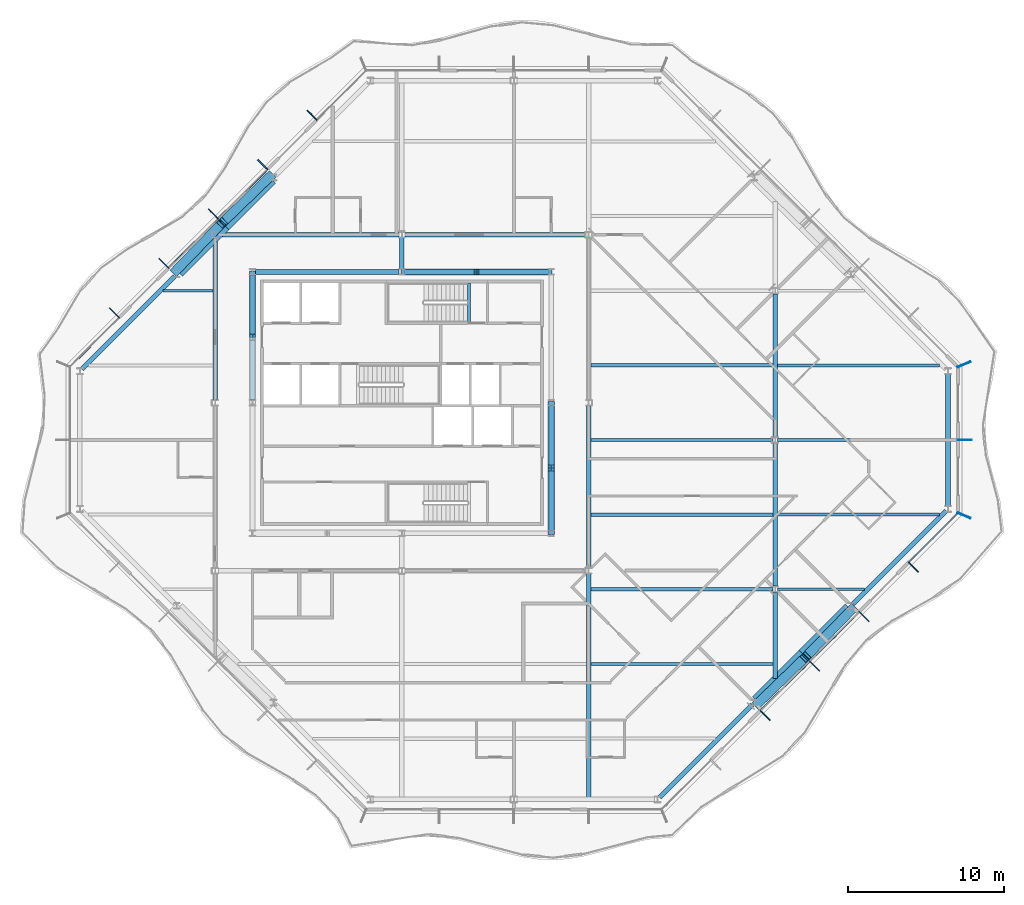
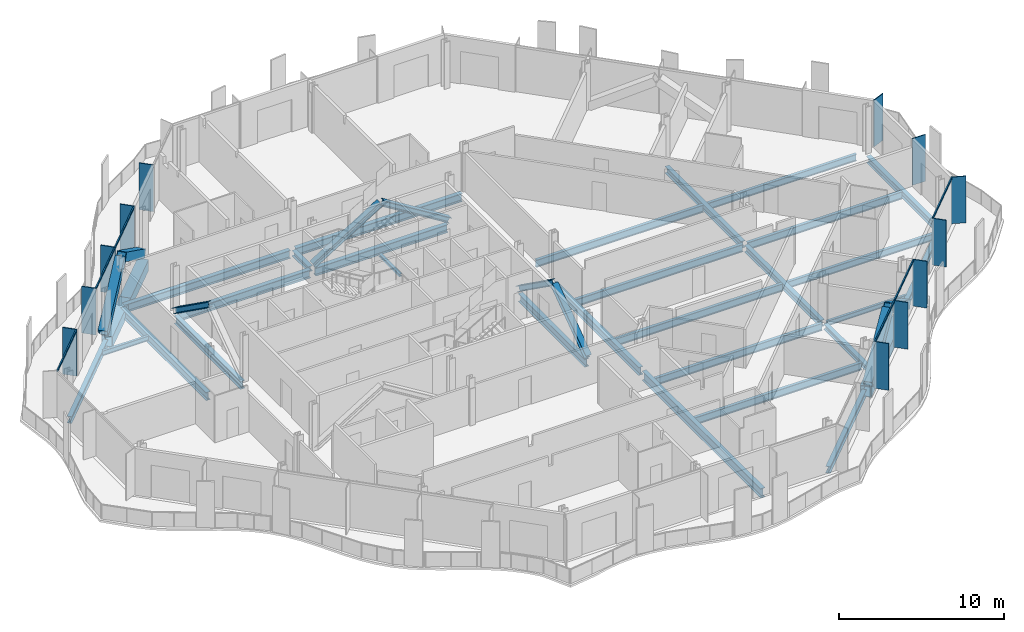
# One storey, part 4 of 17: 32 beams, 27 members, 4 elements without a shape of their own.
"""IFC4 building model written with IfcOpenShell, lengths in metres."""

import ifcopenshell
import ifcopenshell.guid

model = None  # the IFC model being written
_history = None  # IfcOwnerHistory: only IFC2X3 demands one
_inside = {}  # id of a spatial element -> (the spatial element, [elements in it])
_under = {}  # id of a project, library or spatial element -> (it, [spatial elements below it])
_declared = {}  # id of a project -> (the project, [libraries it declares])
_typed = {}  # id of a type object -> (the type object, [elements of that type])
_made_of = {}  # id of a material, layer set ... -> (it, [elements and type objects made of it])


def new_model(schema):
    """Start an empty IFC model of exactly this schema.

    Asked for "IFC4X3", IfcOpenShell would pick the latest addendum, in which some entities
    have other attributes; the version numbers below select the first issue.
    IFC2X3 requires an IfcOwnerHistory on every rooted entity: one is made here for all.
    """
    global model, _history
    if schema == "IFC4X3":
        model = ifcopenshell.file(schema_version=(4, 3, 0, 0))
    else:
        model = ifcopenshell.file(schema=schema)
    _inside.clear()
    _under.clear()
    _declared.clear()
    _typed.clear()
    _made_of.clear()
    _history = None
    if model.schema == "IFC2X3":
        org = make("IfcOrganization", Name="unknown")
        user = make(
            "IfcPersonAndOrganization",
            ThePerson=make("IfcPerson", FamilyName="unknown"),
            TheOrganization=org,
        )
        app = make(
            "IfcApplication",
            ApplicationDeveloper=org,
            Version="unknown",
            ApplicationFullName="unknown",
            ApplicationIdentifier="unknown",
        )
        _history = make(
            "IfcOwnerHistory",
            OwningUser=user,
            OwningApplication=app,
            ChangeAction="ADDED",
            CreationDate=0,
        )
    return model


def make(cls, **values):
    """One entity of the class cls with the attributes given. An attribute that is None is left unset."""
    return model.create_entity(
        cls, **{name: value for name, value in values.items() if value is not None}
    )


def rooted(cls, **values):
    """An entity with a GlobalId (a new one), such as an element, a storey or a relation."""
    return make(cls, GlobalId=ifcopenshell.guid.new(), OwnerHistory=_history, **values)


def si_unit(unit_type, name, prefix=None):
    """IfcSIUnit, for example si_unit("LENGTHUNIT", "METRE", prefix="MILLI")."""
    return make("IfcSIUnit", UnitType=unit_type, Prefix=prefix, Name=name)


def assignment(units):
    """IfcUnitAssignment: the units of a project."""
    return None if units is None else make("IfcUnitAssignment", Units=units)


def point(xyz):
    """IfcCartesianPoint."""
    return None if xyz is None else make("IfcCartesianPoint", Coordinates=xyz)


def direction(xyz):
    """IfcDirection."""
    return None if xyz is None else make("IfcDirection", DirectionRatios=xyz)


def frame(location, z_axis=None, x_axis=None):
    """IfcAxis2Placement3D, a coordinate frame: its origin and axes. An axis left out is left unset."""
    return make(
        "IfcAxis2Placement3D",
        Location=point(location),
        Axis=direction(z_axis),
        RefDirection=direction(x_axis),
    )


def frame_2d(location, x_axis=None):
    """IfcAxis2Placement2D, a coordinate frame in the plane: its origin and x axis."""
    return make(
        "IfcAxis2Placement2D", Location=point(location), RefDirection=direction(x_axis)
    )


def origin():
    """The frame at (0, 0, 0) with its axes left unset."""
    return frame((0.0, 0.0, 0.0))


def origin_2d():
    """The frame at (0, 0) in the plane with its x axis left unset."""
    return frame_2d((0.0, 0.0))


def place(relative_to, where):
    """IfcLocalPlacement: puts the frame where relative to a parent placement (None: the world)."""
    return make(
        "IfcLocalPlacement", PlacementRelTo=relative_to, RelativePlacement=where
    )


def context(
    kind, dimensions, precision=None, world=None, true_north=None, identifier=None
):
    """IfcGeometricRepresentationContext, for example the 3D "Model" context."""
    return make(
        "IfcGeometricRepresentationContext",
        ContextIdentifier=identifier,
        ContextType=kind,
        CoordinateSpaceDimension=dimensions,
        Precision=precision,
        WorldCoordinateSystem=world,
        TrueNorth=true_north,
    )


def subcontext(parent, identifier, kind, view, scale=None):
    """IfcGeometricRepresentationSubContext, for example "Body" below "Model"."""
    return make(
        "IfcGeometricRepresentationSubContext",
        ContextIdentifier=identifier,
        ContextType=kind,
        ParentContext=parent,
        TargetScale=scale,
        TargetView=view,
    )


def project(units=None, contexts=None):
    """IfcProject with its units and contexts."""
    return rooted(
        "IfcProject",
        Name="project",
        RepresentationContexts=contexts,
        UnitsInContext=assignment(units),
    )


def spatial(cls, under=None, at=None, **own):
    """A site, building, storey or space (cls), placed at a placement, below another one or the project."""
    s = rooted(cls, ObjectPlacement=at, **own)
    if under is not None:
        _under.setdefault(under.id(), (under, []))[1].append(s)
    return s


def profile(cls, at=None, kind="AREA", **sizes):
    """A parametric profile (cls). Its sizes go by their IFC names, for example OverallWidth=200.0."""
    return make(cls, ProfileType=kind, Position=at, **sizes)


def rectangle(**sizes):
    """IfcRectangleProfileDef."""
    return profile("IfcRectangleProfileDef", **sizes)


def hollow_rectangle(**sizes):
    """IfcRectangleHollowProfileDef."""
    return profile("IfcRectangleHollowProfileDef", **sizes)


def i_section(**sizes):
    """IfcIShapeProfileDef."""
    return profile("IfcIShapeProfileDef", **sizes)


def extrude(swept, where, along, depth):
    """IfcExtrudedAreaSolid: the profile swept, set in the frame where, extruded along a direction by depth."""
    return make(
        "IfcExtrudedAreaSolid",
        SweptArea=swept,
        Position=where,
        ExtrudedDirection=direction(along),
        Depth=depth,
    )


def shape(context_of_items, identifier, shape_type, items):
    """IfcShapeRepresentation: the items that make up one representation, for example the "Body"."""
    return make(
        "IfcShapeRepresentation",
        ContextOfItems=context_of_items,
        RepresentationIdentifier=identifier,
        RepresentationType=shape_type,
        Items=items,
    )


def material(Name=None, Category=None):
    """IfcMaterial."""
    return make("IfcMaterial", Name=Name, Category=Category)


def material_profile(
    of_material, cross_section, Name=None, Category=None, Priority=None
):
    """IfcMaterialProfile: a cross section and its material."""
    return make(
        "IfcMaterialProfile",
        Name=Name,
        Material=of_material,
        Profile=cross_section,
        Priority=Priority,
        Category=Category,
    )


def profile_set(profiles, Name=None, composite=None):
    """IfcMaterialProfileSet."""
    return make(
        "IfcMaterialProfileSet",
        Name=Name,
        MaterialProfiles=profiles,
        CompositeProfile=composite,
    )


def made_of(thing, what):
    """Note that an element or type object is made of a material, layer set ...; save() writes the relation."""
    if what is not None:
        _made_of.setdefault(what.id(), (what, []))[1].append(thing)
    return thing


def type_object(cls, material=None, **own):
    """A type object (cls), such as IfcWallType, which elements share."""
    return made_of(rooted(cls, **own), material)


def element(
    cls,
    number,
    at=None,
    inside=None,
    cuts=None,
    type_object=None,
    material=None,
    context=None,
    identifier="Body",
    shape_type=None,
    held_by="IfcProductDefinitionShape",
    body=None,
    shapes=None,
    **own,
):
    """One element of the class cls, such as IfcWall. Its Tag is "e" and its number.

    at: its placement. inside: the storey or other place that contains it. cuts: it is an
    opening in that element (IfcRelVoidsElement). A single representation is given by context,
    identifier, shape_type and body (its items); several are given by shapes. held_by: the class
    of the entity that holds the representations. save() writes the other relations.
    """
    e = rooted(cls, Tag="e%d" % number, ObjectPlacement=at, **own)
    if body is not None:
        shapes = [shape(context, identifier, shape_type, body)]
    if shapes is not None:
        e.Representation = make(held_by, Representations=shapes)
    if inside is not None:
        _inside.setdefault(inside.id(), (inside, []))[1].append(e)
    if cuts is not None:
        rooted(
            "IfcRelVoidsElement", RelatingBuildingElement=cuts, RelatedOpeningElement=e
        )
    if type_object is not None:
        _typed.setdefault(type_object.id(), (type_object, []))[1].append(e)
    return made_of(e, material)


def aggregate(whole, parts):
    """IfcRelAggregates: a whole, such as a stair, and the parts it consists of."""
    return rooted("IfcRelAggregates", RelatingObject=whole, RelatedObjects=parts)


def save(model, path):
    """Write the relations noted so far, then the file.

    IfcRelAggregates (storeys below a building ...), IfcRelContainedInSpatialStructure (elements
    in a storey), IfcRelDefinesByType, IfcRelAssociatesMaterial and IfcRelDeclares: one each for
    every whole, place, type object, material and project.
    """
    for whole, parts in _under.values():
        aggregate(whole, parts)
    for where, things in _inside.values():
        rooted(
            "IfcRelContainedInSpatialStructure",
            RelatedElements=things,
            RelatingStructure=where,
        )
    for kind, things in _typed.values():
        rooted("IfcRelDefinesByType", RelatedObjects=things, RelatingType=kind)
    for what, things in _made_of.values():
        rooted("IfcRelAssociatesMaterial", RelatedObjects=things, RelatingMaterial=what)
    for by, libraries in _declared.values():
        rooted("IfcRelDeclares", RelatingContext=by, RelatedDefinitions=libraries)
    model.write(path)


model = new_model("IFC4")

# Units and contexts
model_context = context("Model", 3, precision=1e-05, world=origin(), true_north=direction((0.0, 1.0)))
body_context = subcontext(model_context, "Body", "Model", "MODEL_VIEW")
ifc_project = project(units=[si_unit("LENGTHUNIT", "METRE"), si_unit("AREAUNIT", "SQUARE_METRE"), si_unit("VOLUMEUNIT", "CUBIC_METRE"), si_unit("PLANEANGLEUNIT", "RADIAN"), si_unit("MASSUNIT", "GRAM", prefix="KILO")], contexts=[model_context])

# Site, building, storey
site_placement = place(None, origin())
site = spatial("IfcSite", under=ifc_project, at=site_placement, CompositionType="ELEMENT")
building_placement = place(site_placement, origin())
building = spatial("IfcBuilding", under=site, at=building_placement, Name="Cairn Pilgrim Tower", CompositionType="ELEMENT")
storey_placement = place(building_placement, frame((0.0, 0.0, 235.800048828125)))
storey = spatial("IfcBuildingStorey", under=building, at=storey_placement, Name="L60", CompositionType="ELEMENT", Elevation=235.800048828125)

# Members
ifc_material_1 = material(Name="Structural steel S460M", Category="steel")
ifc_material_profile_1 = material_profile(ifc_material_1, hollow_rectangle(XDim=0.60009765625, YDim=0.60009765625, WallThickness=0.034912109375, at=origin_2d()), Name="BOX 600x600x35")
ifc_profile_set_1 = profile_set([ifc_material_profile_1], Name="Structural steel S460M")
member_type_1 = type_object("IfcMemberType", Name="BOX 600x600x35 BRACE", PredefinedType="BRACE", material=ifc_profile_set_1)
for number, where, z_axis, x_axis, name in (
    (1, (30.01318359375, -16.99462890625, 0.14990234375), (0.611806144004, 0.593141693494, 0.523331800675), (-0.696070308653, 0.717973624454, 0.0), "XB-SE2-SE3-1"),
    (2, (36.194580078125, -10.813232421875, 0.14990234375), (-0.593141693494, -0.611806144004, 0.523331800675), (0.717973624454, -0.696070308653, 0.0), "XB-SE2-SE3-2"),
    (3, (-1.213134765625, 16.99462890625, 0.14990234375), (-0.611806144004, -0.593141693494, 0.523331800675), (0.696070308653, -0.717973624454, 0.0), "XB-NW2-NW3-1"),
    (4, (-7.394775390625, 10.813232421875, 0.14990234375), (0.593141693494, 0.611806144004, 0.523331800675), (-0.717973624454, 0.696070308653, 0.0), "XB-NW2-NW3-2"),
):
    element("IfcMember", number, at=place(storey_placement, frame(where, z_axis=z_axis, x_axis=x_axis)), inside=storey, type_object=member_type_1, Name=name, PredefinedType="BRACE", context=body_context, shape_type="SweptSolid", body=[
        extrude(hollow_rectangle(XDim=0.60009765625, YDim=0.60009765625, WallThickness=0.034912109375, at=origin_2d()), origin(), (0.0, 0.0, 1.0), 5.035888671875),
    ])

# Beams
ifc_material_2 = material(Name="Structural steel S355J2", Category="steel")
ifc_material_profile_2 = material_profile(ifc_material_2, hollow_rectangle(XDim=0.699951171875, YDim=0.800048828125, WallThickness=0.0400390625, at=origin_2d()), Name="BOX 700x800x40")
ifc_profile_set_2 = profile_set([ifc_material_profile_2], Name="Structural steel S355J2")
beam_type_1 = type_object("IfcBeamType", Name="BOX 700x800x40 RING GIRDER", PredefinedType="SPANDREL", material=ifc_profile_set_2)
for number, where, z_axis, x_axis, name in (
    (5, (29.97998046875, -16.747314453125, -0.550048828125), (0.707106781187, 0.707106781187, 0.0), (-0.707106781187, 0.707106781187, 0.0), "RG3-SE2-SE3-1"),
    (6, (32.963623046875, -13.763671875, -0.550048828125), (0.707106781187, 0.707106781187, 0.0), (-0.707106781187, 0.707106781187, 0.0), "RG3-SE2-SE3-2"),
    (7, (-1.179931640625, 16.747314453125, -0.550048828125), (-0.707106781187, -0.707106781187, 0.0), (0.707106781187, -0.707106781187, 0.0), "RG3-NW2-NW3-1"),
    (8, (-4.16357421875, 13.763671875, -0.550048828125), (-0.707106781187, -0.707106781187, 0.0), (0.707106781187, -0.707106781187, 0.0), "RG3-NW2-NW3-2"),
):
    element("IfcBeam", number, at=place(storey_placement, frame(where, z_axis=z_axis, x_axis=x_axis)), inside=storey, type_object=beam_type_1, Name=name, PredefinedType="SPANDREL", context=body_context, shape_type="SweptSolid", body=[
        extrude(hollow_rectangle(XDim=0.699951171875, YDim=0.800048828125, WallThickness=0.0400390625, at=origin_2d()), origin(), (0.0, 0.0, 1.0), 4.219482421875),
    ])

# Curtain wall, members
ifc_material_3 = material(Name="Aluminium alloy 6063-T6 bronze anodised with Bronze tinted laminated low-E glass 8+16+8.8", Category="aluminium")
curtain_wall_type_1 = type_object("IfcCurtainWallType", Name="CHAMFER CORNER CURTAIN WALL", PredefinedType="NOTDEFINED", material=ifc_material_3)
curtain_wall_1_placement = place(storey_placement, origin())
curtain_wall_1 = element("IfcCurtainWall", 9, at=curtain_wall_1_placement, inside=storey, type_object=curtain_wall_type_1, Name="Chamfer Corner Curtain Wall SE", PredefinedType="NOTDEFINED")
ifc_material_4 = material(Name="Aluminium alloy 6063-T6 bronze anodised", Category="aluminium")
ifc_material_profile_3 = material_profile(ifc_material_4, rectangle(XDim=0.89990234375, YDim=0.06005859375, at=origin_2d()), Name="FIN MULLION 60x900 BRONZE")
ifc_profile_set_3 = profile_set([ifc_material_profile_3], Name="Aluminium alloy 6063-T6 bronze anodised")
member_type_2 = type_object("IfcMemberType", Name="FIN MULLION 60x900 BRONZE", PredefinedType="MULLION", material=ifc_profile_set_3)
member_1_placement = place(storey_placement, frame((30.544677734375, -17.69580078125, 0.0), z_axis=(0.0, 0.0, 1.0), x_axis=(0.707106781187, -0.707106781187, 0.0)))
member_1 = element("IfcMember", 10, at=member_1_placement, type_object=member_type_2, Name="Fin mullion SE3", PredefinedType="MULLION", context=body_context, shape_type="SweptSolid", body=[
    extrude(rectangle(XDim=0.89990234375, YDim=0.06005859375, at=origin_2d()), origin(), (0.0, 0.0, 1.0), 3.449951171875),
])
member_2_placement = place(storey_placement, frame((33.72021484375, -14.520263671875, 0.0), z_axis=(0.0, 0.0, 1.0), x_axis=(0.707106781187, -0.707106781187, 0.0)))
member_2 = element("IfcMember", 11, at=member_2_placement, type_object=member_type_2, Name="Fin mullion SE4", PredefinedType="MULLION", context=body_context, shape_type="SweptSolid", body=[
    extrude(rectangle(XDim=0.89990234375, YDim=0.06005859375, at=origin_2d()), origin(), (0.0, 0.0, 1.0), 3.449951171875),
])
member_3_placement = place(storey_placement, frame((36.895751953125, -11.3447265625, 0.0), z_axis=(0.0, 0.0, 1.0), x_axis=(0.707106781187, -0.707106781187, 0.0)))
member_3 = element("IfcMember", 12, at=member_3_placement, type_object=member_type_2, Name="Fin mullion SE5", PredefinedType="MULLION", context=body_context, shape_type="SweptSolid", body=[
    extrude(rectangle(XDim=0.89990234375, YDim=0.06005859375, at=origin_2d()), origin(), (0.0, 0.0, 1.0), 3.449951171875),
])
member_4_placement = place(storey_placement, frame((40.0712890625, -8.1689453125, 0.0), z_axis=(0.0, 0.0, 1.0), x_axis=(0.707106781187, -0.707106781187, 0.0)))
member_4 = element("IfcMember", 13, at=member_4_placement, type_object=member_type_2, Name="Fin mullion SE6", PredefinedType="MULLION", context=body_context, shape_type="SweptSolid", body=[
    extrude(rectangle(XDim=0.89990234375, YDim=0.06005859375, at=origin_2d()), origin(), (0.0, 0.0, 1.0), 3.449951171875),
])

curtain_wall_type_2 = type_object("IfcCurtainWallType", Name="TOWER STICK CURTAIN WALL EW", PredefinedType="NOTDEFINED", material=ifc_material_3)
curtain_wall_2_placement = place(storey_placement, origin())
curtain_wall_2 = element("IfcCurtainWall", 14, at=curtain_wall_2_placement, inside=storey, type_object=curtain_wall_type_2, Name="Tower Stick Curtain Wall Ew E", PredefinedType="NOTDEFINED")
member_5_placement = place(storey_placement, frame((43.338134765625, -4.857177734375, 0.0), z_axis=(0.0, 0.0, 1.0), x_axis=(0.923879532511, -0.382683432365, 0.0)))
member_5 = element("IfcMember", 15, at=member_5_placement, type_object=member_type_2, Name="Fin mullion E1", PredefinedType="MULLION", context=body_context, shape_type="SweptSolid", body=[
    extrude(rectangle(XDim=0.89990234375, YDim=0.06005859375, at=origin_2d()), origin(), (0.0, 0.0, 1.0), 3.449951171875),
])
member_6_placement = place(storey_placement, frame((43.3701171875, 0.0, 0.0), z_axis=(0.0, 0.0, 1.0), x_axis=(1.0, 0.0, 0.0)))
member_6 = element("IfcMember", 16, at=member_6_placement, type_object=member_type_2, Name="Fin mullion E2", PredefinedType="MULLION", context=body_context, shape_type="SweptSolid", body=[
    extrude(rectangle(XDim=0.89990234375, YDim=0.06005859375, at=origin_2d()), origin(), (0.0, 0.0, 1.0), 3.449951171875),
])
aggregate(curtain_wall_2, [member_5, member_6])

# Curtain wall, member
curtain_wall_3_placement = place(storey_placement, origin())
curtain_wall_3 = element("IfcCurtainWall", 17, at=curtain_wall_3_placement, inside=storey, type_object=curtain_wall_type_1, Name="Chamfer Corner Curtain Wall NE", PredefinedType="NOTDEFINED")
member_7_placement = place(storey_placement, frame((43.338134765625, 4.857177734375, 0.0), z_axis=(0.0, 0.0, 1.0), x_axis=(0.923879532511, 0.382683432365, 0.0)))
member_7 = element("IfcMember", 18, at=member_7_placement, type_object=member_type_2, Name="Fin mullion NE1", PredefinedType="MULLION", context=body_context, shape_type="SweptSolid", body=[
    extrude(rectangle(XDim=0.89990234375, YDim=0.06005859375, at=origin_2d()), origin(), (0.0, 0.0, 1.0), 3.449951171875),
])
aggregate(curtain_wall_3, [member_7])

# Curtain wall, members
curtain_wall_4_placement = place(storey_placement, origin())
curtain_wall_4 = element("IfcCurtainWall", 19, at=curtain_wall_4_placement, inside=storey, type_object=curtain_wall_type_1, Name="Chamfer Corner Curtain Wall NW", PredefinedType="NOTDEFINED")
member_8_placement = place(storey_placement, frame((1.430908203125, 20.871337890625, 0.0), z_axis=(0.0, 0.0, 1.0), x_axis=(-0.707106781187, 0.707106781187, 0.0)))
member_8 = element("IfcMember", 20, at=member_8_placement, type_object=member_type_2, Name="Fin mullion NW2", PredefinedType="MULLION", context=body_context, shape_type="SweptSolid", body=[
    extrude(rectangle(XDim=0.89990234375, YDim=0.06005859375, at=origin_2d()), origin(), (0.0, 0.0, 1.0), 3.449951171875),
])
member_9_placement = place(storey_placement, frame((-1.74462890625, 17.69580078125, 0.0), z_axis=(0.0, 0.0, 1.0), x_axis=(-0.707106781187, 0.707106781187, 0.0)))
member_9 = element("IfcMember", 21, at=member_9_placement, type_object=member_type_2, Name="Fin mullion NW3", PredefinedType="MULLION", context=body_context, shape_type="SweptSolid", body=[
    extrude(rectangle(XDim=0.89990234375, YDim=0.06005859375, at=origin_2d()), origin(), (0.0, 0.0, 1.0), 3.449951171875),
])
member_10_placement = place(storey_placement, frame((-4.920166015625, 14.520263671875, 0.0), z_axis=(0.0, 0.0, 1.0), x_axis=(-0.707106781187, 0.707106781187, 0.0)))
member_10 = element("IfcMember", 22, at=member_10_placement, type_object=member_type_2, Name="Fin mullion NW4", PredefinedType="MULLION", context=body_context, shape_type="SweptSolid", body=[
    extrude(rectangle(XDim=0.89990234375, YDim=0.06005859375, at=origin_2d()), origin(), (0.0, 0.0, 1.0), 3.449951171875),
])
member_11_placement = place(storey_placement, frame((-8.095703125, 11.3447265625, 0.0), z_axis=(0.0, 0.0, 1.0), x_axis=(-0.707106781187, 0.707106781187, 0.0)))
member_11 = element("IfcMember", 23, at=member_11_placement, type_object=member_type_2, Name="Fin mullion NW5", PredefinedType="MULLION", context=body_context, shape_type="SweptSolid", body=[
    extrude(rectangle(XDim=0.89990234375, YDim=0.06005859375, at=origin_2d()), origin(), (0.0, 0.0, 1.0), 3.449951171875),
])
member_12_placement = place(storey_placement, frame((-11.271484375, 8.1689453125, 0.0), z_axis=(0.0, 0.0, 1.0), x_axis=(-0.707106781187, 0.707106781187, 0.0)))
member_12 = element("IfcMember", 24, at=member_12_placement, type_object=member_type_2, Name="Fin mullion NW6", PredefinedType="MULLION", context=body_context, shape_type="SweptSolid", body=[
    extrude(rectangle(XDim=0.89990234375, YDim=0.06005859375, at=origin_2d()), origin(), (0.0, 0.0, 1.0), 3.449951171875),
])

# Members
ifc_material_profile_4 = material_profile(ifc_material_2, i_section(OverallWidth=0.39794921875, OverallDepth=0.386962890625, WebThickness=0.02099609375, FlangeThickness=0.033203125, FilletRadius=0.014892578125, at=origin_2d()), Name="HD 400x262")
ifc_profile_set_4 = profile_set([ifc_material_profile_4], Name="Structural steel S355J2")
member_type_3 = type_object("IfcMemberType", Name="HD 400x262 BRACE", PredefinedType="BRACE", material=ifc_profile_set_4)
for number, where, z_axis, x_axis, name in (
    (25, (16.800048828125, -5.960205078125, 0.099853515625), (0.0, 0.814462005215, 0.580216892258), (-1.0, 0.0, 0.0), "KB-2A"),
    (26, (16.800048828125, 2.360107421875, 0.099853515625), (0.0, -0.814462005215, 0.580216892258), (1.0, 0.0, 0.0), "KB-2B"),
):
    element("IfcMember", number, at=place(storey_placement, frame(where, z_axis=z_axis, x_axis=x_axis)), inside=storey, type_object=member_type_3, Name=name, PredefinedType="BRACE", context=body_context, shape_type="SweptSolid", body=[
        extrude(i_section(OverallWidth=0.39794921875, OverallDepth=0.386962890625, WebThickness=0.02099609375, FlangeThickness=0.033203125, FilletRadius=0.014892578125, at=origin_2d()), origin(), (0.0, 0.0, 1.0), 4.999755859375),
    ])
for number, where, z_axis, x_axis, name in (
    (27, (16.76025390625, 10.800048828125, 0.099853515625), (-0.851209328867, 0.0, 0.524826331703), (0.0, -1.0, 0.0), "KB-3A"),
    (28, (7.23974609375, 10.800048828125, 0.099853515625), (0.851209328867, 0.0, 0.524826331703), (0.0, 1.0, 0.0), "KB-3B"),
):
    element("IfcMember", number, at=place(storey_placement, frame(where, z_axis=z_axis, x_axis=x_axis)), inside=storey, type_object=member_type_3, Name=name, PredefinedType="BRACE", context=body_context, shape_type="SweptSolid", body=[
        extrude(i_section(OverallWidth=0.39794921875, OverallDepth=0.386962890625, WebThickness=0.02099609375, FlangeThickness=0.033203125, FilletRadius=0.014892578125, at=origin_2d()), origin(), (0.0, 0.0, 1.0), 5.530029296875),
    ])
member_13_placement = place(storey_placement, frame((-2.39990234375, 10.76025390625, 0.099853515625), z_axis=(0.0, -0.814462005215, 0.580216892258), x_axis=(1.0, 0.0, 0.0)))
element("IfcMember", 29, at=member_13_placement, inside=storey, type_object=member_type_3, Name="KB-4A", PredefinedType="BRACE", context=body_context, shape_type="SweptSolid", body=[
    extrude(i_section(OverallWidth=0.39794921875, OverallDepth=0.386962890625, WebThickness=0.02099609375, FlangeThickness=0.033203125, FilletRadius=0.014892578125, at=origin_2d()), origin(), (0.0, 0.0, 1.0), 4.999755859375),
])

# Beams
ifc_material_profile_5 = material_profile(ifc_material_2, i_section(OverallWidth=0.300048828125, OverallDepth=0.39990234375, WebThickness=0.013427734375, FlangeThickness=0.02392578125, FilletRadius=0.027099609375, at=origin_2d()), Name="HEB 400")
ifc_profile_set_5 = profile_set([ifc_material_profile_5], Name="Structural steel S355J2")
beam_type_2 = type_object("IfcBeamType", Name="HEB 400 GIRDER", PredefinedType="BEAM", material=ifc_profile_set_5)
beam_1_placement = place(storey_placement, frame((7.199951171875, 10.9990234375, -0.35009765625), z_axis=(0.0, 1.0, 0.0), x_axis=(-1.0, 0.0, 0.0)))
element("IfcBeam", 30, at=beam_1_placement, inside=storey, type_object=beam_type_2, Name="PG3-E2", PredefinedType="BEAM", context=body_context, shape_type="SweptSolid", body=[
    extrude(i_section(OverallWidth=0.300048828125, OverallDepth=0.39990234375, WebThickness=0.013427734375, FlangeThickness=0.02392578125, FilletRadius=0.027099609375, at=origin_2d()), origin(), (0.0, 0.0, 1.0), 2.00390625),
])
beam_2_placement = place(storey_placement, frame((31.199951171875, -15.34521484375, -0.35009765625), z_axis=(0.0, 1.0, 0.0), x_axis=(-1.0, 0.0, 0.0)))
element("IfcBeam", 31, at=beam_2_placement, inside=storey, type_object=beam_type_2, Name="PG5-1", PredefinedType="BEAM", context=body_context, shape_type="SweptSolid", body=[
    extrude(i_section(OverallWidth=0.300048828125, OverallDepth=0.39990234375, WebThickness=0.013427734375, FlangeThickness=0.02392578125, FilletRadius=0.027099609375, at=origin_2d()), origin(), (0.0, 0.0, 1.0), 5.545654296875),
])
ifc_material_profile_6 = material_profile(ifc_material_2, i_section(OverallWidth=0.300048828125, OverallDepth=0.5, WebThickness=0.014404296875, FlangeThickness=0.028076171875, FilletRadius=0.027099609375, at=origin_2d()), Name="HEB 500")
ifc_profile_set_6 = profile_set([ifc_material_profile_6], Name="Structural steel S355J2")
beam_type_3 = type_object("IfcBeamType", Name="HEB 500 GIRDER", PredefinedType="BEAM", material=ifc_profile_set_6)
for number, where, z_axis, x_axis, name in (
    (32, (31.199951171875, -9.400390625, -0.400146484375), (0.0, 1.0, 0.0), (-1.0, 0.0, 0.0), "PG5-2"),
    (33, (31.199951171875, 0.199462890625, -0.400146484375), (0.0, 1.0, 0.0), (-1.0, 0.0, 0.0), "PG5-3"),
):
    element("IfcBeam", number, at=place(storey_placement, frame(where, z_axis=z_axis, x_axis=x_axis)), inside=storey, type_object=beam_type_3, Name=name, PredefinedType="BEAM", context=body_context, shape_type="SweptSolid", body=[
        extrude(i_section(OverallWidth=0.300048828125, OverallDepth=0.5, WebThickness=0.014404296875, FlangeThickness=0.028076171875, FilletRadius=0.027099609375, at=origin_2d()), origin(), (0.0, 0.0, 1.0), 9.200927734375),
    ])
ifc_material_profile_7 = material_profile(ifc_material_2, i_section(OverallWidth=0.300048828125, OverallDepth=0.5, WebThickness=0.014404296875, FlangeThickness=0.028076171875, FilletRadius=0.027099609375, at=origin_2d()), Name="HEB 500")
ifc_profile_set_7 = profile_set([ifc_material_profile_7], Name="Structural steel S355J2")
beam_type_4 = type_object("IfcBeamType", Name="HEB 500 RING GIRDER", PredefinedType="SPANDREL", material=ifc_profile_set_7)
for number, where, z_axis, x_axis, name in (
    (34, (23.755859375, -22.971435546875, -0.400146484375), (0.707106781187, 0.707106781187, 0.0), (-0.707106781187, 0.707106781187, 0.0), "RG3-SE1-SE2"),
    (35, (36.204345703125, -10.52294921875, -0.400146484375), (0.707106781187, 0.707106781187, 0.0), (-0.707106781187, 0.707106781187, 0.0), "RG3-SE3-E1"),
):
    element("IfcBeam", number, at=place(storey_placement, frame(where, z_axis=z_axis, x_axis=x_axis)), inside=storey, type_object=beam_type_4, Name=name, PredefinedType="SPANDREL", context=body_context, shape_type="SweptSolid", body=[
        extrude(i_section(OverallWidth=0.300048828125, OverallDepth=0.5, WebThickness=0.014404296875, FlangeThickness=0.028076171875, FilletRadius=0.027099609375, at=origin_2d()), origin(), (0.0, 0.0, 1.0), 8.438720703125),
    ])
beam_3_placement = place(storey_placement, frame((42.300048828125, -4.245361328125, -0.400146484375), z_axis=(0.0, 1.0, 0.0), x_axis=(-1.0, 0.0, 0.0)))
element("IfcBeam", 36, at=beam_3_placement, inside=storey, type_object=beam_type_4, Name="RG3-E1-NE1", PredefinedType="SPANDREL", context=body_context, shape_type="SweptSolid", body=[
    extrude(i_section(OverallWidth=0.300048828125, OverallDepth=0.5, WebThickness=0.014404296875, FlangeThickness=0.028076171875, FilletRadius=0.027099609375, at=origin_2d()), origin(), (0.0, 0.0, 1.0), 8.49072265625),
])
beam_4_placement = place(storey_placement, frame((-7.404296875, 10.52294921875, -0.400146484375), z_axis=(-0.707106781187, -0.707106781187, 0.0), x_axis=(0.707106781187, -0.707106781187, 0.0)))
element("IfcBeam", 37, at=beam_4_placement, inside=storey, type_object=beam_type_4, Name="RG3-NW3-W1", PredefinedType="SPANDREL", context=body_context, shape_type="SweptSolid", body=[
    extrude(i_section(OverallWidth=0.300048828125, OverallDepth=0.5, WebThickness=0.014404296875, FlangeThickness=0.028076171875, FilletRadius=0.027099609375, at=origin_2d()), origin(), (0.0, 0.0, 1.0), 8.438720703125),
])
ifc_material_profile_8 = material_profile(ifc_material_2, i_section(OverallWidth=0.300048828125, OverallDepth=0.60009765625, WebThickness=0.015380859375, FlangeThickness=0.030029296875, FilletRadius=0.027099609375, at=origin_2d()), Name="HEB 600")
ifc_profile_set_8 = profile_set([ifc_material_profile_8], Name="Structural steel S355J2")
beam_type_5 = type_object("IfcBeamType", Name="HEB 600 CORE BEAM", PredefinedType="BEAM", material=ifc_profile_set_8)
beam_5_placement = place(storey_placement, frame((16.800048828125, -5.82080078125, -0.449951171875), z_axis=(0.0, 1.0, 0.0), x_axis=(-1.0, 0.0, 0.0)))
element("IfcBeam", 38, at=beam_5_placement, inside=storey, type_object=beam_type_5, Name="CB-3", PredefinedType="BEAM", context=body_context, shape_type="SweptSolid", body=[
    extrude(i_section(OverallWidth=0.300048828125, OverallDepth=0.60009765625, WebThickness=0.015380859375, FlangeThickness=0.030029296875, FilletRadius=0.027099609375, at=origin_2d()), origin(), (0.0, 0.0, 1.0), 8.041748046875),
])
beam_6_placement = place(storey_placement, frame((16.620849609375, 10.800048828125, -0.449951171875), z_axis=(-1.0, 0.0, 0.0), x_axis=(0.0, -1.0, 0.0)))
element("IfcBeam", 39, at=beam_6_placement, inside=storey, type_object=beam_type_5, Name="CB-5", PredefinedType="BEAM", context=body_context, shape_type="SweptSolid", body=[
    extrude(i_section(OverallWidth=0.300048828125, OverallDepth=0.60009765625, WebThickness=0.015380859375, FlangeThickness=0.030029296875, FilletRadius=0.027099609375, at=origin_2d()), origin(), (0.0, 0.0, 1.0), 9.24169921875),
])
beam_7_placement = place(storey_placement, frame((7.02099609375, 10.800048828125, -0.449951171875), z_axis=(-1.0, 0.0, 0.0), x_axis=(0.0, -1.0, 0.0)))
element("IfcBeam", 40, at=beam_7_placement, inside=storey, type_object=beam_type_5, Name="CB-6", PredefinedType="BEAM", context=body_context, shape_type="SweptSolid", body=[
    extrude(i_section(OverallWidth=0.300048828125, OverallDepth=0.60009765625, WebThickness=0.015380859375, FlangeThickness=0.030029296875, FilletRadius=0.027099609375, at=origin_2d()), origin(), (0.0, 0.0, 1.0), 9.241943359375),
])
beam_8_placement = place(storey_placement, frame((-2.39990234375, 10.620849609375, -0.449951171875), z_axis=(0.0, -1.0, 0.0), x_axis=(1.0, 0.0, 0.0)))
element("IfcBeam", 41, at=beam_8_placement, inside=storey, type_object=beam_type_5, Name="CB-7", PredefinedType="BEAM", context=body_context, shape_type="SweptSolid", body=[
    extrude(i_section(OverallWidth=0.300048828125, OverallDepth=0.60009765625, WebThickness=0.015380859375, FlangeThickness=0.030029296875, FilletRadius=0.027099609375, at=origin_2d()), origin(), (0.0, 0.0, 1.0), 8.041748046875),
])
ifc_material_profile_9 = material_profile(ifc_material_2, i_section(OverallWidth=0.300048828125, OverallDepth=0.60009765625, WebThickness=0.015380859375, FlangeThickness=0.030029296875, FilletRadius=0.027099609375, at=origin_2d()), Name="HEB 600")
ifc_profile_set_9 = profile_set([ifc_material_profile_9], Name="Structural steel S355J2")
beam_type_6 = type_object("IfcBeamType", Name="HEB 600 GIRDER", PredefinedType="BEAM", material=ifc_profile_set_9)
beam_9_placement = place(storey_placement, frame((-4.800048828125, 2.596923828125, -0.449951171875), z_axis=(0.0, 1.0, 0.0), x_axis=(-1.0, 0.0, 0.0)))
element("IfcBeam", 42, at=beam_9_placement, inside=storey, type_object=beam_type_6, Name="PG2-3", PredefinedType="BEAM", context=body_context, shape_type="SweptSolid", body=[
    extrude(i_section(OverallWidth=0.300048828125, OverallDepth=0.60009765625, WebThickness=0.015380859375, FlangeThickness=0.030029296875, FilletRadius=0.027099609375, at=origin_2d()), origin(), (0.0, 0.0, 1.0), 10.34814453125),
])
beam_10_placement = place(storey_placement, frame((19.199951171875, -8.202880859375, -0.449951171875), z_axis=(0.0, 1.0, 0.0), x_axis=(-1.0, 0.0, 0.0)))
element("IfcBeam", 43, at=beam_10_placement, inside=storey, type_object=beam_type_6, Name="PG4-2", PredefinedType="BEAM", context=body_context, shape_type="SweptSolid", body=[
    extrude(i_section(OverallWidth=0.300048828125, OverallDepth=0.60009765625, WebThickness=0.015380859375, FlangeThickness=0.030029296875, FilletRadius=0.027099609375, at=origin_2d()), origin(), (0.0, 0.0, 1.0), 10.40576171875),
])
ifc_material_profile_10 = material_profile(ifc_material_2, i_section(OverallWidth=0.300048828125, OverallDepth=0.60009765625, WebThickness=0.015380859375, FlangeThickness=0.030029296875, FilletRadius=0.027099609375, at=origin_2d()), Name="HEB 600")
ifc_profile_set_10 = profile_set([ifc_material_profile_10], Name="Structural steel S355J2")
beam_type_7 = type_object("IfcBeamType", Name="HEB 600 INNER GIRDER", PredefinedType="BEAM", material=ifc_profile_set_10)
for number, where, z_axis, x_axis, name in (
    (44, (-4.60302734375, 13.199951171875, -0.449951171875), (1.0, 0.0, 0.0), (0.0, 1.0, 0.0), "IG2-1"),
    (45, (7.39697265625, 13.199951171875, -0.449951171875), (1.0, 0.0, 0.0), (0.0, 1.0, 0.0), "IG2-2"),
):
    element("IfcBeam", number, at=place(storey_placement, frame(where, z_axis=z_axis, x_axis=x_axis)), inside=storey, type_object=beam_type_7, Name=name, PredefinedType="BEAM", context=body_context, shape_type="SweptSolid", body=[
        extrude(i_section(OverallWidth=0.300048828125, OverallDepth=0.60009765625, WebThickness=0.015380859375, FlangeThickness=0.030029296875, FilletRadius=0.027099609375, at=origin_2d()), origin(), (0.0, 0.0, 1.0), 11.60595703125),
    ])
ifc_material_profile_11 = material_profile(ifc_material_2, i_section(OverallWidth=0.300048828125, OverallDepth=0.699951171875, WebThickness=0.01708984375, FlangeThickness=0.031982421875, FilletRadius=0.027099609375, at=origin_2d()), Name="HEB 700")
ifc_profile_set_11 = profile_set([ifc_material_profile_11], Name="Structural steel S355J2")
beam_type_8 = type_object("IfcBeamType", Name="HEB 700 GIRDER", PredefinedType="BEAM", material=ifc_profile_set_11)
beam_11_placement = place(storey_placement, frame((19.199951171875, -22.97998046875, -0.5), z_axis=(0.0, 1.0, 0.0), x_axis=(-1.0, 0.0, 0.0)))
element("IfcBeam", 46, at=beam_11_placement, inside=storey, type_object=beam_type_8, Name="PG4-1", PredefinedType="BEAM", context=body_context, shape_type="SweptSolid", body=[
    extrude(i_section(OverallWidth=0.300048828125, OverallDepth=0.699951171875, WebThickness=0.01708984375, FlangeThickness=0.031982421875, FilletRadius=0.027099609375, at=origin_2d()), origin(), (0.0, 0.0, 1.0), 14.383056640625),
])
ifc_material_profile_12 = material_profile(ifc_material_2, i_section(OverallWidth=0.169921875, OverallDepth=0.360107421875, WebThickness=0.008056640625, FlangeThickness=0.0126953125, FilletRadius=0.01806640625, at=origin_2d()), Name="IPE 360")
ifc_profile_set_12 = profile_set([ifc_material_profile_12], Name="Structural steel S355J2")
beam_type_9 = type_object("IfcBeamType", Name="IPE 360 SECONDARY BEAM", PredefinedType="JOIST", material=ifc_profile_set_12)
beam_12_placement = place(storey_placement, frame((31.35009765625, -9.60009765625, -0.330078125), z_axis=(1.0, 0.0, 0.0), x_axis=(0.0, 1.0, 0.0)))
element("IfcBeam", 47, at=beam_12_placement, inside=storey, type_object=beam_type_9, Name="SB3-3", PredefinedType="JOIST", context=body_context, shape_type="SweptSolid", body=[
    extrude(i_section(OverallWidth=0.169921875, OverallDepth=0.360107421875, WebThickness=0.008056640625, FlangeThickness=0.0126953125, FilletRadius=0.01806640625, at=origin_2d()), origin(), (0.0, 0.0, 1.0), 5.594970703125),
])
beam_13_placement = place(storey_placement, frame((-8.14501953125, 9.60009765625, -0.330078125), z_axis=(1.0, 0.0, 0.0), x_axis=(0.0, 1.0, 0.0)))
element("IfcBeam", 48, at=beam_13_placement, inside=storey, type_object=beam_type_9, Name="SB7-1", PredefinedType="JOIST", context=body_context, shape_type="SweptSolid", body=[
    extrude(i_section(OverallWidth=0.169921875, OverallDepth=0.360107421875, WebThickness=0.008056640625, FlangeThickness=0.0126953125, FilletRadius=0.01806640625, at=origin_2d()), origin(), (0.0, 0.0, 1.0), 3.195068359375),
])
ifc_material_profile_13 = material_profile(ifc_material_2, i_section(OverallWidth=0.199951171875, OverallDepth=0.5, WebThickness=0.01025390625, FlangeThickness=0.01611328125, FilletRadius=0.02099609375, at=origin_2d()), Name="IPE 500")
ifc_profile_set_13 = profile_set([ifc_material_profile_13], Name="Structural steel S355J2")
beam_type_10 = type_object("IfcBeamType", Name="IPE 500 SECONDARY BEAM", PredefinedType="JOIST", material=ifc_profile_set_13)
for number, where, z_axis, x_axis, name in (
    (49, (31.35009765625, -4.800048828125, -0.400146484375), (1.0, 0.0, 0.0), (0.0, 1.0, 0.0), "SB4-3"),
    (50, (31.35009765625, 4.800048828125, -0.400146484375), (1.0, 0.0, 0.0), (0.0, 1.0, 0.0), "SB6-3"),
):
    element("IfcBeam", number, at=place(storey_placement, frame(where, z_axis=z_axis, x_axis=x_axis)), inside=storey, type_object=beam_type_10, Name=name, PredefinedType="JOIST", context=body_context, shape_type="SweptSolid", body=[
        extrude(i_section(OverallWidth=0.199951171875, OverallDepth=0.5, WebThickness=0.01025390625, FlangeThickness=0.01611328125, FilletRadius=0.02099609375, at=origin_2d()), origin(), (0.0, 0.0, 1.0), 10.39501953125),
    ])
ifc_material_profile_14 = material_profile(ifc_material_2, i_section(OverallWidth=0.2099609375, OverallDepth=0.550048828125, WebThickness=0.010986328125, FlangeThickness=0.01708984375, FilletRadius=0.02392578125, at=origin_2d()), Name="IPE 550")
ifc_profile_set_14 = profile_set([ifc_material_profile_14], Name="Structural steel S355J2")
beam_type_11 = type_object("IfcBeamType", Name="IPE 550 SECONDARY BEAM", PredefinedType="JOIST", material=ifc_profile_set_14)
for number, where, z_axis, x_axis, name in (
    (51, (19.35009765625, -14.39990234375, -0.425048828125), (1.0, 0.0, 0.0), (0.0, 1.0, 0.0), "SB2-3"),
    (52, (19.35009765625, -9.60009765625, -0.425048828125), (1.0, 0.0, 0.0), (0.0, 1.0, 0.0), "SB3-2"),
    (53, (19.35009765625, -4.800048828125, -0.425048828125), (1.0, 0.0, 0.0), (0.0, 1.0, 0.0), "SB4-2"),
    (54, (19.35009765625, 0.0, -0.425048828125), (1.0, 0.0, 0.0), (0.0, 1.0, 0.0), "SB5-2"),
):
    element("IfcBeam", number, at=place(storey_placement, frame(where, z_axis=z_axis, x_axis=x_axis)), inside=storey, type_object=beam_type_11, Name=name, PredefinedType="JOIST", context=body_context, shape_type="SweptSolid", body=[
        extrude(i_section(OverallWidth=0.2099609375, OverallDepth=0.550048828125, WebThickness=0.010986328125, FlangeThickness=0.01708984375, FilletRadius=0.02392578125, at=origin_2d()), origin(), (0.0, 0.0, 1.0), 11.699951171875),
    ])
beam_14_placement = place(storey_placement, frame((31.35009765625, 0.0, -0.425048828125), z_axis=(1.0, 0.0, 0.0), x_axis=(0.0, 1.0, 0.0)))
element("IfcBeam", 55, at=beam_14_placement, inside=storey, type_object=beam_type_11, Name="SB5-3", PredefinedType="JOIST", context=body_context, shape_type="SweptSolid", body=[
    extrude(i_section(OverallWidth=0.2099609375, OverallDepth=0.550048828125, WebThickness=0.010986328125, FlangeThickness=0.01708984375, FilletRadius=0.02392578125, at=origin_2d()), origin(), (0.0, 0.0, 1.0), 10.829833984375),
])
beam_15_placement = place(storey_placement, frame((19.35009765625, 4.800048828125, -0.425048828125), z_axis=(1.0, 0.0, 0.0), x_axis=(0.0, 1.0, 0.0)))
element("IfcBeam", 56, at=beam_15_placement, inside=storey, type_object=beam_type_11, Name="SB6-2", PredefinedType="JOIST", context=body_context, shape_type="SweptSolid", body=[
    extrude(i_section(OverallWidth=0.2099609375, OverallDepth=0.550048828125, WebThickness=0.010986328125, FlangeThickness=0.01708984375, FilletRadius=0.02392578125, at=origin_2d()), origin(), (0.0, 0.0, 1.0), 11.699951171875),
])
ifc_material_profile_15 = material_profile(ifc_material_2, i_section(OverallWidth=0.199951171875, OverallDepth=0.199951171875, WebThickness=0.009033203125, FlangeThickness=0.014892578125, FilletRadius=0.01806640625, at=origin_2d()), Name="HE 200 B")
ifc_profile_set_15 = profile_set([ifc_material_profile_15], Name="Structural steel S355J2")
beam_type_12 = type_object("IfcBeamType", Name="STAIR LANDING BEAM HE 200 B", PredefinedType="BEAM", material=ifc_profile_set_15)
beam_16_placement = place(storey_placement, frame((11.5244140625, 10.10009765625, -0.25), z_axis=(0.0, -1.0, 0.0), x_axis=(1.0, 0.0, 0.0)))
element("IfcBeam", 57, at=beam_16_placement, inside=storey, type_object=beam_type_12, Name="STAIR LANDING BEAM LD-HE200B", PredefinedType="BEAM", context=body_context, shape_type="SweptSolid", body=[
    extrude(i_section(OverallWidth=0.199951171875, OverallDepth=0.199951171875, WebThickness=0.009033203125, FlangeThickness=0.014892578125, FilletRadius=0.01806640625, at=origin_2d()), origin(), (0.0, 0.0, 1.0), 2.525146484375),
])

# Member
ifc_material_profile_16 = material_profile(ifc_material_4, rectangle(XDim=0.080078125, YDim=0.14990234375, at=origin_2d()), Name="TRANSOM 80x150 BRONZE")
ifc_profile_set_16 = profile_set([ifc_material_profile_16], Name="Aluminium alloy 6063-T6 bronze anodised")
member_type_4 = type_object("IfcMemberType", Name="TRANSOM 80x150 BRONZE", PredefinedType="USERDEFINED", material=ifc_profile_set_16)
member_14_placement = place(storey_placement, frame((30.268798828125, -17.377685546875, 3.375), z_axis=(0.707106781187, 0.707106781187, 0.0), x_axis=(-0.707106781187, 0.707106781187, 0.0)))
member_14 = element("IfcMember", 58, at=member_14_placement, type_object=member_type_4, Name="Transom SE3", ObjectType="TRANSOM", PredefinedType="USERDEFINED", context=body_context, shape_type="SweptSolid", body=[
    extrude(rectangle(XDim=0.080078125, YDim=0.14990234375, at=origin_2d()), origin(), (0.0, 0.0, 1.0), 4.43115234375),
])

member_15_placement = place(storey_placement, frame((33.4443359375, -14.201904296875, 3.375), z_axis=(0.707134329907, 0.707079231393, 0.0), x_axis=(-0.707079231393, 0.707134329907, 0.0)))
member_15 = element("IfcMember", 59, at=member_15_placement, type_object=member_type_4, Name="Transom SE4", ObjectType="TRANSOM", PredefinedType="USERDEFINED", context=body_context, shape_type="SweptSolid", body=[
    extrude(rectangle(XDim=0.080078125, YDim=0.14990234375, at=origin_2d()), origin(), (0.0, 0.0, 1.0), 4.430908203125),
])

member_16_placement = place(storey_placement, frame((39.795654296875, -7.850830078125, 3.375), z_axis=(0.707079168996, 0.707134392299, 0.0), x_axis=(-0.707134392299, 0.707079168996, 0.0)))
member_16 = element("IfcMember", 60, at=member_16_placement, type_object=member_type_4, Name="Transom SE6", ObjectType="TRANSOM", PredefinedType="USERDEFINED", context=body_context, shape_type="SweptSolid", body=[
    extrude(rectangle(XDim=0.080078125, YDim=0.14990234375, at=origin_2d()), origin(), (0.0, 0.0, 1.0), 4.4208984375),
])

aggregate(curtain_wall_1, [member_1, member_2, member_3, member_4, member_14, member_15, member_16])

member_17_placement = place(storey_placement, frame((-1.46875, 17.377685546875, 3.375), z_axis=(-0.707106781187, -0.707106781187, 0.0), x_axis=(0.707106781187, -0.707106781187, 0.0)))
member_17 = element("IfcMember", 61, at=member_17_placement, type_object=member_type_4, Name="Transom NW3", ObjectType="TRANSOM", PredefinedType="USERDEFINED", context=body_context, shape_type="SweptSolid", body=[
    extrude(rectangle(XDim=0.080078125, YDim=0.14990234375, at=origin_2d()), origin(), (0.0, 0.0, 1.0), 4.43115234375),
])

member_18_placement = place(storey_placement, frame((-4.64453125, 14.201904296875, 3.375), z_axis=(-0.707106781187, -0.707106781187, 0.0), x_axis=(0.707106781187, -0.707106781187, 0.0)))
member_18 = element("IfcMember", 62, at=member_18_placement, type_object=member_type_4, Name="Transom NW4", ObjectType="TRANSOM", PredefinedType="USERDEFINED", context=body_context, shape_type="SweptSolid", body=[
    extrude(rectangle(XDim=0.080078125, YDim=0.14990234375, at=origin_2d()), origin(), (0.0, 0.0, 1.0), 4.430908203125),
])

member_19_placement = place(storey_placement, frame((-10.99560546875, 7.850830078125, 3.375), z_axis=(-0.707106781187, -0.707106781187, 0.0), x_axis=(0.707106781187, -0.707106781187, 0.0)))
member_19 = element("IfcMember", 63, at=member_19_placement, type_object=member_type_4, Name="Transom NW6", ObjectType="TRANSOM", PredefinedType="USERDEFINED", context=body_context, shape_type="SweptSolid", body=[
    extrude(rectangle(XDim=0.080078125, YDim=0.14990234375, at=origin_2d()), origin(), (0.0, 0.0, 1.0), 4.421142578125),
])

aggregate(curtain_wall_4, [member_8, member_9, member_10, member_11, member_12, member_17, member_18, member_19])

save(model, "model.ifc")
